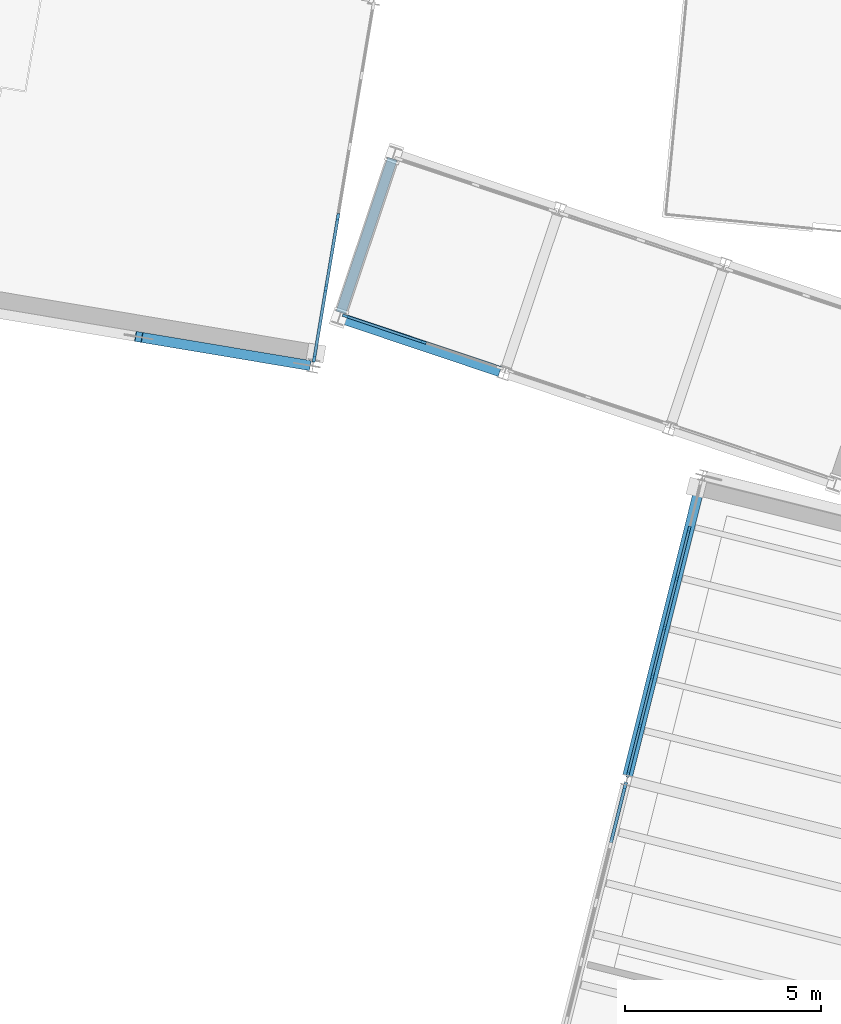
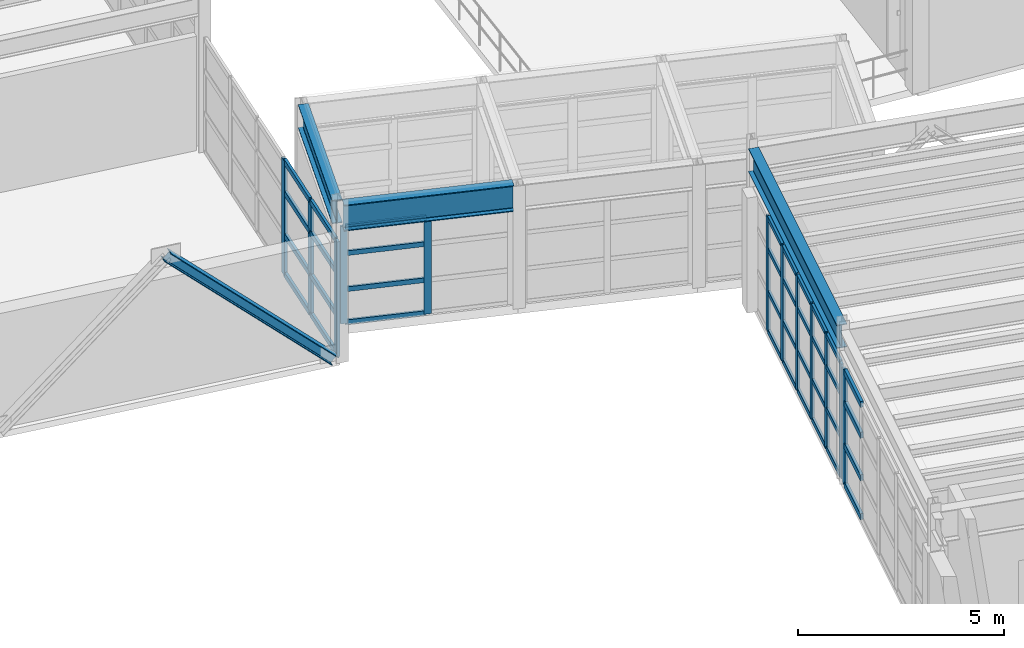
# One storey, part 25 of 102: 49 members, 3 beams, 4 elements without a shape of their own.
"""IFC4 building model written with IfcOpenShell, lengths in metres."""

from ifc_helpers import new_model, si_unit, direction, frame, origin, origin_2d, place, context, subcontext, project, spatial, rectangle, i_section, extrude, material, layer, layer_set, material_profile, profile_set, type_object, element, aggregate, save


model = new_model("IFC4")

# Units and contexts
model_context = context("Model", 3, precision=1e-05, world=origin(), true_north=direction((0.0, 1.0)))
body_context = subcontext(model_context, "Body", "Model", "MODEL_VIEW")
ifc_project = project(units=[si_unit("LENGTHUNIT", "METRE"), si_unit("AREAUNIT", "SQUARE_METRE"), si_unit("VOLUMEUNIT", "CUBIC_METRE"), si_unit("PLANEANGLEUNIT", "RADIAN"), si_unit("MASSUNIT", "GRAM", prefix="KILO")], contexts=[model_context])

# Site, building, storey
site_placement = place(None, origin())
site = spatial("IfcSite", under=ifc_project, at=site_placement, CompositionType="ELEMENT")
building_placement = place(site_placement, origin())
building = spatial("IfcBuilding", under=site, at=building_placement, Name="Vireo Bluff Cable Station", CompositionType="ELEMENT")
storey_placement = place(building_placement, frame((0.0, 0.0, 9.60009765625)))
storey = spatial("IfcBuildingStorey", under=building, at=storey_placement, Name="L02", CompositionType="ELEMENT", Elevation=9.60009765625)

# Member
ifc_material_1 = material(Name="Steel ASTM A992 Gr. 50", Category="steel")
ifc_material_profile_1 = material_profile(ifc_material_1, i_section(OverallWidth=0.257080078125, OverallDepth=0.263916015625, WebThickness=0.011962890625, FlangeThickness=0.01953125, FilletRadius=0.009033203125, at=origin_2d()), Name="W10X68")
ifc_profile_set_1 = profile_set([ifc_material_profile_1], Name="Steel ASTM A992 Gr. 50")
member_type_1 = type_object("IfcMemberType", Name="BRC-03", PredefinedType="BRACE", material=ifc_profile_set_1)
member_1_placement = place(storey_placement, frame((49.72509765625, 64.099365234375, 0.039794921875), z_axis=(-0.713650967905, 0.119423483707, 0.690246570109), x_axis=(-0.165046622801, -0.986285766044, 0.0)))
element("IfcMember", 1, at=member_1_placement, inside=storey, type_object=member_type_1, Name="V4 L02 concentric brace 80R", PredefinedType="BRACE", context=body_context, shape_type="SweptSolid", body=[
    extrude(i_section(OverallWidth=0.257080078125, OverallDepth=0.263916015625, WebThickness=0.011962890625, FlangeThickness=0.01953125, FilletRadius=0.009033203125, at=origin_2d()), origin(), (0.0, 0.0, 1.0), 5.998046875),
])

# Curtain wall, members
ifc_material_2 = material(Name="Anodized Aluminium 6063-T6", Category="aluminium")
ifc_layer_1 = layer(ifc_material_2, 0.179931640625, Name="Anodized Aluminium 6063-T6")
ifc_layer_set_1 = layer_set([ifc_layer_1], Name="Anodized Aluminium 6063-T6")
curtain_wall_type_1 = type_object("IfcCurtainWallType", Name="CW-UNIT-1400", PredefinedType="USERDEFINED", material=ifc_layer_set_1)
curtain_wall_1_placement = place(storey_placement, origin())
curtain_wall_1 = element("IfcCurtainWall", 2, at=curtain_wall_1_placement, inside=storey, type_object=curtain_wall_type_1, Name="V1 L02 west curtain wall CW-012", ObjectType="UNITISED CURTAIN WALL", PredefinedType="USERDEFINED")
ifc_material_profile_2 = material_profile(ifc_material_2, rectangle(XDim=0.06494140625, YDim=0.179931640625, at=origin_2d()), Name="ALU-M-65X180")
ifc_profile_set_2 = profile_set([ifc_material_profile_2], Name="Anodized Aluminium 6063-T6")
member_type_2 = type_object("IfcMemberType", Name="CWM-01", PredefinedType="MULLION", material=ifc_profile_set_2)
member_2_placement = place(storey_placement, frame((57.91015625, 53.682373046875, 0.0), z_axis=(0.0, 0.0, 1.0), x_axis=(-0.970295713157, 0.241921948216, 0.0)))
member_2 = element("IfcMember", 3, at=member_2_placement, type_object=member_type_2, Name="CW-012 mullion 1", PredefinedType="MULLION", context=body_context, shape_type="SweptSolid", body=[
    extrude(rectangle(XDim=0.06494140625, YDim=0.179931640625, at=origin_2d()), origin(), (0.0, 0.0, 1.0), 3.39990234375),
])
member_3_placement = place(storey_placement, frame((58.21435546875, 54.902587890625, 0.0), z_axis=(0.0, 0.0, 1.0), x_axis=(-0.970295713157, 0.241921948216, 0.0)))
member_3 = element("IfcMember", 4, at=member_3_placement, type_object=member_type_2, Name="CW-012 mullion 2", PredefinedType="MULLION", context=body_context, shape_type="SweptSolid", body=[
    extrude(rectangle(XDim=0.06494140625, YDim=0.179931640625, at=origin_2d()), origin(), (0.0, 0.0, 1.0), 3.39990234375),
])
member_4_placement = place(storey_placement, frame((58.5263671875, 56.154052734375, 0.0), z_axis=(0.0, 0.0, 1.0), x_axis=(-0.970295713157, 0.241921948216, 0.0)))
member_4 = element("IfcMember", 5, at=member_4_placement, type_object=member_type_2, Name="CW-012 mullion 3", PredefinedType="MULLION", context=body_context, shape_type="SweptSolid", body=[
    extrude(rectangle(XDim=0.06494140625, YDim=0.179931640625, at=origin_2d()), origin(), (0.0, 0.0, 1.0), 3.39990234375),
])
member_5_placement = place(storey_placement, frame((58.83837890625, 57.40576171875, 0.0), z_axis=(0.0, 0.0, 1.0), x_axis=(-0.970295713157, 0.241921948216, 0.0)))
member_5 = element("IfcMember", 6, at=member_5_placement, type_object=member_type_2, Name="CW-012 mullion 4", PredefinedType="MULLION", context=body_context, shape_type="SweptSolid", body=[
    extrude(rectangle(XDim=0.06494140625, YDim=0.179931640625, at=origin_2d()), origin(), (0.0, 0.0, 1.0), 3.39990234375),
])
member_6_placement = place(storey_placement, frame((59.150390625, 58.6572265625, 0.0), z_axis=(0.0, 0.0, 1.0), x_axis=(-0.970295713157, 0.241921948216, 0.0)))
member_6 = element("IfcMember", 7, at=member_6_placement, type_object=member_type_2, Name="CW-012 mullion 5", PredefinedType="MULLION", context=body_context, shape_type="SweptSolid", body=[
    extrude(rectangle(XDim=0.06494140625, YDim=0.179931640625, at=origin_2d()), origin(), (0.0, 0.0, 1.0), 3.39990234375),
])
member_7_placement = place(storey_placement, frame((59.46240234375, 59.908935546875, 0.0), z_axis=(0.0, 0.0, 1.0), x_axis=(-0.970295713157, 0.241921948216, 0.0)))
member_7 = element("IfcMember", 8, at=member_7_placement, type_object=member_type_2, Name="CW-012 mullion 6", PredefinedType="MULLION", context=body_context, shape_type="SweptSolid", body=[
    extrude(rectangle(XDim=0.06494140625, YDim=0.179931640625, at=origin_2d()), origin(), (0.0, 0.0, 1.0), 3.39990234375),
])

ifc_layer_2 = layer(ifc_material_2, 0.159912109375, Name="Anodized Aluminium 6063-T6")
ifc_layer_set_2 = layer_set([ifc_layer_2], Name="Anodized Aluminium 6063-T6")
curtain_wall_type_2 = type_object("IfcCurtainWallType", Name="CW-STICK-1750", PredefinedType="USERDEFINED", material=ifc_layer_set_2)
curtain_wall_2_placement = place(storey_placement, origin())
curtain_wall_2 = element("IfcCurtainWall", 9, at=curtain_wall_2_placement, inside=storey, type_object=curtain_wall_type_2, Name="SKYBR L02 CABIN-TRANSFER-1L curtain wall CW-140", ObjectType="STICK CURTAIN WALL", PredefinedType="USERDEFINED")
member_8_placement = place(storey_placement, frame((50.722412109375, 65.341796875, 0.0), z_axis=(0.0, 0.0, 1.0), x_axis=(0.317927251237, 0.948115110586, 0.0)))
member_8 = element("IfcMember", 10, at=member_8_placement, type_object=member_type_2, Name="CW-140 mullion 1", PredefinedType="MULLION", context=body_context, shape_type="SweptSolid", body=[
    extrude(rectangle(XDim=0.06494140625, YDim=0.179931640625, at=origin_2d()), origin(), (0.0, 0.0, 1.0), 2.8798828125),
])
member_9_placement = place(storey_placement, frame((52.682861328125, 64.6845703125, 0.0), z_axis=(0.0, 0.0, 1.0), x_axis=(0.317927251237, 0.948115110586, 0.0)))
member_9 = element("IfcMember", 11, at=member_9_placement, type_object=member_type_2, Name="CW-140 mullion 2", PredefinedType="MULLION", context=body_context, shape_type="SweptSolid", body=[
    extrude(rectangle(XDim=0.06494140625, YDim=0.179931640625, at=origin_2d()), origin(), (0.0, 0.0, 1.0), 2.8798828125),
])

ifc_layer_3 = layer(ifc_material_2, 0.159912109375, Name="Anodized Aluminium 6063-T6")
ifc_layer_set_3 = layer_set([ifc_layer_3], Name="Anodized Aluminium 6063-T6")
curtain_wall_type_3 = type_object("IfcCurtainWallType", Name="CW-STICK-1850", PredefinedType="USERDEFINED", material=ifc_layer_set_3)
curtain_wall_3_placement = place(storey_placement, origin())
curtain_wall_3 = element("IfcCurtainWall", 12, at=curtain_wall_3_placement, inside=storey, type_object=curtain_wall_type_3, Name="V4 L02 east curtain wall CW-105", ObjectType="STICK CURTAIN WALL", PredefinedType="USERDEFINED")
ifc_material_profile_3 = material_profile(ifc_material_2, rectangle(XDim=0.074951171875, YDim=0.2099609375, at=origin_2d()), Name="ALU-M-75X210")
ifc_profile_set_3 = profile_set([ifc_material_profile_3], Name="Anodized Aluminium 6063-T6")
member_type_3 = type_object("IfcMemberType", Name="CWM-02", PredefinedType="MULLION", material=ifc_profile_set_3)
member_10_placement = place(storey_placement, frame((50.515869140625, 67.85595703125, 0.0), z_axis=(0.0, 0.0, 1.0), x_axis=(0.986285608364, -0.165047565064, 0.0)))
member_10 = element("IfcMember", 13, at=member_10_placement, type_object=member_type_3, Name="CW-105 mullion 4", PredefinedType="MULLION", context=body_context, shape_type="SweptSolid", body=[
    extrude(rectangle(XDim=0.074951171875, YDim=0.2099609375, at=origin_2d()), origin(), (0.0, 0.0, 1.0), 3.39990234375),
])
member_11_placement = place(storey_placement, frame((50.21337890625, 66.047607421875, 0.0), z_axis=(0.0, 0.0, 1.0), x_axis=(0.986285608364, -0.165047565064, 0.0)))
member_11 = element("IfcMember", 14, at=member_11_placement, type_object=member_type_3, Name="CW-105 mullion 5", PredefinedType="MULLION", context=body_context, shape_type="SweptSolid", body=[
    extrude(rectangle(XDim=0.074951171875, YDim=0.2099609375, at=origin_2d()), origin(), (0.0, 0.0, 1.0), 3.39990234375),
])
member_12_placement = place(storey_placement, frame((49.916748046875, 64.276123046875, 0.0), z_axis=(0.0, 0.0, 1.0), x_axis=(0.986285608364, -0.165047565064, 0.0)))
member_12 = element("IfcMember", 15, at=member_12_placement, type_object=member_type_3, Name="CW-105 mullion 6", PredefinedType="MULLION", context=body_context, shape_type="SweptSolid", body=[
    extrude(rectangle(XDim=0.074951171875, YDim=0.2099609375, at=origin_2d()), origin(), (0.0, 0.0, 1.0), 3.39990234375),
])

# Curtain wall, member
ifc_layer_4 = layer(ifc_material_2, 0.179931640625, Name="Anodized Aluminium 6063-T6")
ifc_layer_set_4 = layer_set([ifc_layer_4], Name="Anodized Aluminium 6063-T6")
curtain_wall_type_4 = type_object("IfcCurtainWallType", Name="CW-UNIT-1650", PredefinedType="USERDEFINED", material=ifc_layer_set_4)
curtain_wall_4_placement = place(storey_placement, origin())
curtain_wall_4 = element("IfcCurtainWall", 16, at=curtain_wall_4_placement, inside=storey, type_object=curtain_wall_type_4, Name="V1 L02 west curtain wall CW-011", ObjectType="UNITISED CURTAIN WALL", PredefinedType="USERDEFINED")
ifc_material_profile_4 = material_profile(ifc_material_2, rectangle(XDim=0.080078125, YDim=0.239990234375, at=origin_2d()), Name="ALU-M-80X240")
ifc_profile_set_4 = profile_set([ifc_material_profile_4], Name="Anodized Aluminium 6063-T6")
member_type_4 = type_object("IfcMemberType", Name="CWM-04", PredefinedType="MULLION", material=ifc_profile_set_4)
member_13_placement = place(storey_placement, frame((57.82958984375, 53.35986328125, 0.0), z_axis=(0.0, 0.0, 1.0), x_axis=(-0.970295752053, 0.241921792212, 0.0)))
member_13 = element("IfcMember", 17, at=member_13_placement, type_object=member_type_4, Name="CW-011 mullion 6", PredefinedType="MULLION", context=body_context, shape_type="SweptSolid", body=[
    extrude(rectangle(XDim=0.080078125, YDim=0.239990234375, at=origin_2d()), origin(), (0.0, 0.0, 1.0), 3.39990234375),
])

# Member
ifc_material_profile_5 = material_profile(ifc_material_2, rectangle(XDim=0.06494140625, YDim=0.139892578125, at=origin_2d()), Name="ALU-T-65X140")
ifc_profile_set_5 = profile_set([ifc_material_profile_5], Name="Anodized Aluminium 6063-T6")
member_type_5 = type_object("IfcMemberType", Name="CWT-01", PredefinedType="USERDEFINED", material=ifc_profile_set_5)
member_14_placement = place(storey_placement, frame((57.91796875, 53.7138671875, 0.032470703125), z_axis=(0.241812901272, 0.970322895112, 0.0), x_axis=(-0.970322895112, 0.241812901272, 0.0)))
member_14 = element("IfcMember", 18, at=member_14_placement, type_object=member_type_5, Name="CW-012 transom 1.1", ObjectType="TRANSOM", PredefinedType="USERDEFINED", context=body_context, shape_type="SweptSolid", body=[
    extrude(rectangle(XDim=0.06494140625, YDim=0.139892578125, at=origin_2d()), origin(), (0.0, 0.0, 1.0), 1.1923828125),
])

member_15_placement = place(storey_placement, frame((57.91796875, 53.7138671875, 1.18994140625), z_axis=(0.241812901272, 0.970322895112, 0.0), x_axis=(-0.970322895112, 0.241812901272, 0.0)))
member_15 = element("IfcMember", 19, at=member_15_placement, type_object=member_type_5, Name="CW-012 transom 1.2", ObjectType="TRANSOM", PredefinedType="USERDEFINED", context=body_context, shape_type="SweptSolid", body=[
    extrude(rectangle(XDim=0.06494140625, YDim=0.139892578125, at=origin_2d()), origin(), (0.0, 0.0, 1.0), 1.1923828125),
])

member_16_placement = place(storey_placement, frame((57.91796875, 53.7138671875, 2.447998046875), z_axis=(0.241812901272, 0.970322895112, 0.0), x_axis=(-0.970322895112, 0.241812901272, 0.0)))
member_16 = element("IfcMember", 20, at=member_16_placement, type_object=member_type_5, Name="CW-012 transom 1.3", ObjectType="TRANSOM", PredefinedType="USERDEFINED", context=body_context, shape_type="SweptSolid", body=[
    extrude(rectangle(XDim=0.06494140625, YDim=0.139892578125, at=origin_2d()), origin(), (0.0, 0.0, 1.0), 1.1923828125),
])

member_17_placement = place(storey_placement, frame((57.91796875, 53.7138671875, 3.367431640625), z_axis=(0.241812901272, 0.970322895112, 0.0), x_axis=(-0.970322895112, 0.241812901272, 0.0)))
member_17 = element("IfcMember", 21, at=member_17_placement, type_object=member_type_5, Name="CW-012 transom 1.4", ObjectType="TRANSOM", PredefinedType="USERDEFINED", context=body_context, shape_type="SweptSolid", body=[
    extrude(rectangle(XDim=0.06494140625, YDim=0.139892578125, at=origin_2d()), origin(), (0.0, 0.0, 1.0), 1.1923828125),
])

member_18_placement = place(storey_placement, frame((58.22216796875, 54.93408203125, 0.032470703125), z_axis=(0.241972802247, 0.970283032405, 0.0), x_axis=(-0.970283032405, 0.241972802247, 0.0)))
member_18 = element("IfcMember", 22, at=member_18_placement, type_object=member_type_5, Name="CW-012 transom 2.1", ObjectType="TRANSOM", PredefinedType="USERDEFINED", context=body_context, shape_type="SweptSolid", body=[
    extrude(rectangle(XDim=0.06494140625, YDim=0.139892578125, at=origin_2d()), origin(), (0.0, 0.0, 1.0), 1.224853515625),
])

member_19_placement = place(storey_placement, frame((58.22216796875, 54.93408203125, 1.18994140625), z_axis=(0.241972802247, 0.970283032405, 0.0), x_axis=(-0.970283032405, 0.241972802247, 0.0)))
member_19 = element("IfcMember", 23, at=member_19_placement, type_object=member_type_5, Name="CW-012 transom 2.2", ObjectType="TRANSOM", PredefinedType="USERDEFINED", context=body_context, shape_type="SweptSolid", body=[
    extrude(rectangle(XDim=0.06494140625, YDim=0.139892578125, at=origin_2d()), origin(), (0.0, 0.0, 1.0), 1.224853515625),
])

member_20_placement = place(storey_placement, frame((58.22216796875, 54.93408203125, 2.447998046875), z_axis=(0.241972802247, 0.970283032405, 0.0), x_axis=(-0.970283032405, 0.241972802247, 0.0)))
member_20 = element("IfcMember", 24, at=member_20_placement, type_object=member_type_5, Name="CW-012 transom 2.3", ObjectType="TRANSOM", PredefinedType="USERDEFINED", context=body_context, shape_type="SweptSolid", body=[
    extrude(rectangle(XDim=0.06494140625, YDim=0.139892578125, at=origin_2d()), origin(), (0.0, 0.0, 1.0), 1.224853515625),
])

member_21_placement = place(storey_placement, frame((58.22216796875, 54.93408203125, 3.367431640625), z_axis=(0.241972802247, 0.970283032405, 0.0), x_axis=(-0.970283032405, 0.241972802247, 0.0)))
member_21 = element("IfcMember", 25, at=member_21_placement, type_object=member_type_5, Name="CW-012 transom 2.4", ObjectType="TRANSOM", PredefinedType="USERDEFINED", context=body_context, shape_type="SweptSolid", body=[
    extrude(rectangle(XDim=0.06494140625, YDim=0.139892578125, at=origin_2d()), origin(), (0.0, 0.0, 1.0), 1.224853515625),
])

member_22_placement = place(storey_placement, frame((58.5341796875, 56.185546875, 0.032470703125), z_axis=(0.241972802247, 0.970283032405, 0.0), x_axis=(-0.970283032405, 0.241972802247, 0.0)))
member_22 = element("IfcMember", 26, at=member_22_placement, type_object=member_type_5, Name="CW-012 transom 3.1", ObjectType="TRANSOM", PredefinedType="USERDEFINED", context=body_context, shape_type="SweptSolid", body=[
    extrude(rectangle(XDim=0.06494140625, YDim=0.139892578125, at=origin_2d()), origin(), (0.0, 0.0, 1.0), 1.224853515625),
])

member_23_placement = place(storey_placement, frame((58.5341796875, 56.185546875, 1.18994140625), z_axis=(0.241972802247, 0.970283032405, 0.0), x_axis=(-0.970283032405, 0.241972802247, 0.0)))
member_23 = element("IfcMember", 27, at=member_23_placement, type_object=member_type_5, Name="CW-012 transom 3.2", ObjectType="TRANSOM", PredefinedType="USERDEFINED", context=body_context, shape_type="SweptSolid", body=[
    extrude(rectangle(XDim=0.06494140625, YDim=0.139892578125, at=origin_2d()), origin(), (0.0, 0.0, 1.0), 1.224853515625),
])

member_24_placement = place(storey_placement, frame((58.5341796875, 56.185546875, 2.447998046875), z_axis=(0.241972802247, 0.970283032405, 0.0), x_axis=(-0.970283032405, 0.241972802247, 0.0)))
member_24 = element("IfcMember", 28, at=member_24_placement, type_object=member_type_5, Name="CW-012 transom 3.3", ObjectType="TRANSOM", PredefinedType="USERDEFINED", context=body_context, shape_type="SweptSolid", body=[
    extrude(rectangle(XDim=0.06494140625, YDim=0.139892578125, at=origin_2d()), origin(), (0.0, 0.0, 1.0), 1.224853515625),
])

member_25_placement = place(storey_placement, frame((58.5341796875, 56.185546875, 3.367431640625), z_axis=(0.241972802247, 0.970283032405, 0.0), x_axis=(-0.970283032405, 0.241972802247, 0.0)))
member_25 = element("IfcMember", 29, at=member_25_placement, type_object=member_type_5, Name="CW-012 transom 3.4", ObjectType="TRANSOM", PredefinedType="USERDEFINED", context=body_context, shape_type="SweptSolid", body=[
    extrude(rectangle(XDim=0.06494140625, YDim=0.139892578125, at=origin_2d()), origin(), (0.0, 0.0, 1.0), 1.224853515625),
])

member_26_placement = place(storey_placement, frame((58.84619140625, 57.437255859375, 0.032470703125), z_axis=(0.241972802247, 0.970283032405, 0.0), x_axis=(-0.970283032405, 0.241972802247, 0.0)))
member_26 = element("IfcMember", 30, at=member_26_placement, type_object=member_type_5, Name="CW-012 transom 4.1", ObjectType="TRANSOM", PredefinedType="USERDEFINED", context=body_context, shape_type="SweptSolid", body=[
    extrude(rectangle(XDim=0.06494140625, YDim=0.139892578125, at=origin_2d()), origin(), (0.0, 0.0, 1.0), 1.224853515625),
])

member_27_placement = place(storey_placement, frame((58.84619140625, 57.437255859375, 1.18994140625), z_axis=(0.241972802247, 0.970283032405, 0.0), x_axis=(-0.970283032405, 0.241972802247, 0.0)))
member_27 = element("IfcMember", 31, at=member_27_placement, type_object=member_type_5, Name="CW-012 transom 4.2", ObjectType="TRANSOM", PredefinedType="USERDEFINED", context=body_context, shape_type="SweptSolid", body=[
    extrude(rectangle(XDim=0.06494140625, YDim=0.139892578125, at=origin_2d()), origin(), (0.0, 0.0, 1.0), 1.224853515625),
])

member_28_placement = place(storey_placement, frame((58.84619140625, 57.437255859375, 2.447998046875), z_axis=(0.241972802247, 0.970283032405, 0.0), x_axis=(-0.970283032405, 0.241972802247, 0.0)))
member_28 = element("IfcMember", 32, at=member_28_placement, type_object=member_type_5, Name="CW-012 transom 4.3", ObjectType="TRANSOM", PredefinedType="USERDEFINED", context=body_context, shape_type="SweptSolid", body=[
    extrude(rectangle(XDim=0.06494140625, YDim=0.139892578125, at=origin_2d()), origin(), (0.0, 0.0, 1.0), 1.224853515625),
])

member_29_placement = place(storey_placement, frame((58.84619140625, 57.437255859375, 3.367431640625), z_axis=(0.241972802247, 0.970283032405, 0.0), x_axis=(-0.970283032405, 0.241972802247, 0.0)))
member_29 = element("IfcMember", 33, at=member_29_placement, type_object=member_type_5, Name="CW-012 transom 4.4", ObjectType="TRANSOM", PredefinedType="USERDEFINED", context=body_context, shape_type="SweptSolid", body=[
    extrude(rectangle(XDim=0.06494140625, YDim=0.139892578125, at=origin_2d()), origin(), (0.0, 0.0, 1.0), 1.224853515625),
])

member_30_placement = place(storey_placement, frame((59.158203125, 58.688720703125, 0.032470703125), z_axis=(0.24192601457, 0.970294699292, 0.0), x_axis=(-0.970294699292, 0.24192601457, 0.0)))
member_30 = element("IfcMember", 34, at=member_30_placement, type_object=member_type_5, Name="CW-012 transom 5.1", ObjectType="TRANSOM", PredefinedType="USERDEFINED", context=body_context, shape_type="SweptSolid", body=[
    extrude(rectangle(XDim=0.06494140625, YDim=0.139892578125, at=origin_2d()), origin(), (0.0, 0.0, 1.0), 1.22509765625),
])

member_31_placement = place(storey_placement, frame((59.158203125, 58.688720703125, 1.18994140625), z_axis=(0.24192601457, 0.970294699292, 0.0), x_axis=(-0.970294699292, 0.24192601457, 0.0)))
member_31 = element("IfcMember", 35, at=member_31_placement, type_object=member_type_5, Name="CW-012 transom 5.2", ObjectType="TRANSOM", PredefinedType="USERDEFINED", context=body_context, shape_type="SweptSolid", body=[
    extrude(rectangle(XDim=0.06494140625, YDim=0.139892578125, at=origin_2d()), origin(), (0.0, 0.0, 1.0), 1.22509765625),
])

member_32_placement = place(storey_placement, frame((59.158203125, 58.688720703125, 2.447998046875), z_axis=(0.24192601457, 0.970294699292, 0.0), x_axis=(-0.970294699292, 0.24192601457, 0.0)))
member_32 = element("IfcMember", 36, at=member_32_placement, type_object=member_type_5, Name="CW-012 transom 5.3", ObjectType="TRANSOM", PredefinedType="USERDEFINED", context=body_context, shape_type="SweptSolid", body=[
    extrude(rectangle(XDim=0.06494140625, YDim=0.139892578125, at=origin_2d()), origin(), (0.0, 0.0, 1.0), 1.22509765625),
])

member_33_placement = place(storey_placement, frame((59.158203125, 58.688720703125, 3.367431640625), z_axis=(0.24192601457, 0.970294699292, 0.0), x_axis=(-0.970294699292, 0.24192601457, 0.0)))
member_33 = element("IfcMember", 37, at=member_33_placement, type_object=member_type_5, Name="CW-012 transom 5.4", ObjectType="TRANSOM", PredefinedType="USERDEFINED", context=body_context, shape_type="SweptSolid", body=[
    extrude(rectangle(XDim=0.06494140625, YDim=0.139892578125, at=origin_2d()), origin(), (0.0, 0.0, 1.0), 1.22509765625),
])

aggregate(curtain_wall_1, [member_2, member_3, member_4, member_5, member_6, member_7, member_14, member_15, member_16, member_17, member_18, member_19, member_20, member_21, member_22, member_23, member_24, member_25, member_26, member_27, member_28, member_29, member_30, member_31, member_32, member_33])

member_34_placement = place(storey_placement, frame((50.75341796875, 65.33154296875, 0.032470703125), z_axis=(0.948096428666, -0.317982958586, 0.0), x_axis=(0.317982958586, 0.948096428666, 0.0)))
member_34 = element("IfcMember", 38, at=member_34_placement, type_object=member_type_5, Name="CW-140 transom 1.1", ObjectType="TRANSOM", PredefinedType="USERDEFINED", context=body_context, shape_type="SweptSolid", body=[
    extrude(rectangle(XDim=0.06494140625, YDim=0.139892578125, at=origin_2d()), origin(), (0.0, 0.0, 1.0), 2.00244140625),
])

member_35_placement = place(storey_placement, frame((50.75341796875, 65.33154296875, 1.0078125), z_axis=(0.948096428666, -0.317982958586, 0.0), x_axis=(0.317982958586, 0.948096428666, 0.0)))
member_35 = element("IfcMember", 39, at=member_35_placement, type_object=member_type_5, Name="CW-140 transom 1.2", ObjectType="TRANSOM", PredefinedType="USERDEFINED", context=body_context, shape_type="SweptSolid", body=[
    extrude(rectangle(XDim=0.06494140625, YDim=0.139892578125, at=origin_2d()), origin(), (0.0, 0.0, 1.0), 2.00244140625),
])

member_36_placement = place(storey_placement, frame((50.75341796875, 65.33154296875, 2.073486328125), z_axis=(0.948096428666, -0.317982958586, 0.0), x_axis=(0.317982958586, 0.948096428666, 0.0)))
member_36 = element("IfcMember", 40, at=member_36_placement, type_object=member_type_5, Name="CW-140 transom 1.3", ObjectType="TRANSOM", PredefinedType="USERDEFINED", context=body_context, shape_type="SweptSolid", body=[
    extrude(rectangle(XDim=0.06494140625, YDim=0.139892578125, at=origin_2d()), origin(), (0.0, 0.0, 1.0), 2.00244140625),
])

member_37_placement = place(storey_placement, frame((50.75341796875, 65.33154296875, 2.847412109375), z_axis=(0.948096428666, -0.317982958586, 0.0), x_axis=(0.317982958586, 0.948096428666, 0.0)))
member_37 = element("IfcMember", 41, at=member_37_placement, type_object=member_type_5, Name="CW-140 transom 1.4", ObjectType="TRANSOM", PredefinedType="USERDEFINED", context=body_context, shape_type="SweptSolid", body=[
    extrude(rectangle(XDim=0.06494140625, YDim=0.139892578125, at=origin_2d()), origin(), (0.0, 0.0, 1.0), 2.00244140625),
])

aggregate(curtain_wall_2, [member_8, member_9, member_34, member_35, member_36, member_37])

ifc_material_profile_6 = material_profile(ifc_material_2, rectangle(XDim=0.074951171875, YDim=0.159912109375, at=origin_2d()), Name="ALU-T-75X160")
ifc_profile_set_6 = profile_set([ifc_material_profile_6], Name="Anodized Aluminium 6063-T6")
member_type_6 = type_object("IfcMemberType", Name="CWT-02", PredefinedType="USERDEFINED", material=ifc_profile_set_6)
member_38_placement = place(storey_placement, frame((50.509765625, 67.81884765625, 0.037353515625), z_axis=(-0.165074360419, -0.986281123987, 0.0), x_axis=(0.986281123987, -0.165074360419, 0.0)))
member_38 = element("IfcMember", 42, at=member_38_placement, type_object=member_type_6, Name="CW-105 transom 4.1", ObjectType="TRANSOM", PredefinedType="USERDEFINED", context=body_context, shape_type="SweptSolid", body=[
    extrude(rectangle(XDim=0.074951171875, YDim=0.159912109375, at=origin_2d()), origin(), (0.0, 0.0, 1.0), 1.758544921875),
])

member_39_placement = place(storey_placement, frame((50.509765625, 67.81884765625, 1.18994140625), z_axis=(-0.165074360419, -0.986281123987, 0.0), x_axis=(0.986281123987, -0.165074360419, 0.0)))
member_39 = element("IfcMember", 43, at=member_39_placement, type_object=member_type_6, Name="CW-105 transom 4.2", ObjectType="TRANSOM", PredefinedType="USERDEFINED", context=body_context, shape_type="SweptSolid", body=[
    extrude(rectangle(XDim=0.074951171875, YDim=0.159912109375, at=origin_2d()), origin(), (0.0, 0.0, 1.0), 1.758544921875),
])

member_40_placement = place(storey_placement, frame((50.509765625, 67.81884765625, 2.447998046875), z_axis=(-0.165074360419, -0.986281123987, 0.0), x_axis=(0.986281123987, -0.165074360419, 0.0)))
member_40 = element("IfcMember", 44, at=member_40_placement, type_object=member_type_6, Name="CW-105 transom 4.3", ObjectType="TRANSOM", PredefinedType="USERDEFINED", context=body_context, shape_type="SweptSolid", body=[
    extrude(rectangle(XDim=0.074951171875, YDim=0.159912109375, at=origin_2d()), origin(), (0.0, 0.0, 1.0), 1.758544921875),
])

member_41_placement = place(storey_placement, frame((50.509765625, 67.81884765625, 3.3623046875), z_axis=(-0.165074360419, -0.986281123987, 0.0), x_axis=(0.986281123987, -0.165074360419, 0.0)))
member_41 = element("IfcMember", 45, at=member_41_placement, type_object=member_type_6, Name="CW-105 transom 4.4", ObjectType="TRANSOM", PredefinedType="USERDEFINED", context=body_context, shape_type="SweptSolid", body=[
    extrude(rectangle(XDim=0.074951171875, YDim=0.159912109375, at=origin_2d()), origin(), (0.0, 0.0, 1.0), 1.758544921875),
])

member_42_placement = place(storey_placement, frame((50.20703125, 66.010498046875, 0.037353515625), z_axis=(-0.164974035598, -0.986297910156, 0.0), x_axis=(0.986297910156, -0.164974035598, 0.0)))
member_42 = element("IfcMember", 46, at=member_42_placement, type_object=member_type_6, Name="CW-105 transom 5.1", ObjectType="TRANSOM", PredefinedType="USERDEFINED", context=body_context, shape_type="SweptSolid", body=[
    extrude(rectangle(XDim=0.074951171875, YDim=0.159912109375, at=origin_2d()), origin(), (0.0, 0.0, 1.0), 1.72119140625),
])

member_43_placement = place(storey_placement, frame((50.20703125, 66.010498046875, 1.18994140625), z_axis=(-0.164974035598, -0.986297910156, 0.0), x_axis=(0.986297910156, -0.164974035598, 0.0)))
member_43 = element("IfcMember", 47, at=member_43_placement, type_object=member_type_6, Name="CW-105 transom 5.2", ObjectType="TRANSOM", PredefinedType="USERDEFINED", context=body_context, shape_type="SweptSolid", body=[
    extrude(rectangle(XDim=0.074951171875, YDim=0.159912109375, at=origin_2d()), origin(), (0.0, 0.0, 1.0), 1.72119140625),
])

member_44_placement = place(storey_placement, frame((50.20703125, 66.010498046875, 2.447998046875), z_axis=(-0.164974035598, -0.986297910156, 0.0), x_axis=(0.986297910156, -0.164974035598, 0.0)))
member_44 = element("IfcMember", 48, at=member_44_placement, type_object=member_type_6, Name="CW-105 transom 5.3", ObjectType="TRANSOM", PredefinedType="USERDEFINED", context=body_context, shape_type="SweptSolid", body=[
    extrude(rectangle(XDim=0.074951171875, YDim=0.159912109375, at=origin_2d()), origin(), (0.0, 0.0, 1.0), 1.72119140625),
])

member_45_placement = place(storey_placement, frame((50.20703125, 66.010498046875, 3.3623046875), z_axis=(-0.164974035598, -0.986297910156, 0.0), x_axis=(0.986297910156, -0.164974035598, 0.0)))
member_45 = element("IfcMember", 49, at=member_45_placement, type_object=member_type_6, Name="CW-105 transom 5.4", ObjectType="TRANSOM", PredefinedType="USERDEFINED", context=body_context, shape_type="SweptSolid", body=[
    extrude(rectangle(XDim=0.074951171875, YDim=0.159912109375, at=origin_2d()), origin(), (0.0, 0.0, 1.0), 1.72119140625),
])

aggregate(curtain_wall_3, [member_10, member_11, member_12, member_38, member_39, member_40, member_41, member_42, member_43, member_44, member_45])

ifc_material_profile_7 = material_profile(ifc_material_2, rectangle(XDim=0.080078125, YDim=0.175048828125, at=origin_2d()), Name="ALU-T-80X175")
ifc_profile_set_7 = profile_set([ifc_material_profile_7], Name="Anodized Aluminium 6063-T6")
member_type_7 = type_object("IfcMemberType", Name="CWT-04", PredefinedType="USERDEFINED", material=ifc_profile_set_7)
member_46_placement = place(storey_placement, frame((57.474609375, 51.936279296875, 0.039794921875), z_axis=(0.241891547174, 0.970303292484, 0.0), x_axis=(-0.970303292484, 0.241891547174, 0.0)))
member_46 = element("IfcMember", 50, at=member_46_placement, type_object=member_type_7, Name="CW-011 transom 5.1", ObjectType="TRANSOM", PredefinedType="USERDEFINED", context=body_context, shape_type="SweptSolid", body=[
    extrude(rectangle(XDim=0.080078125, YDim=0.175048828125, at=origin_2d()), origin(), (0.0, 0.0, 1.0), 1.42724609375),
])

member_47_placement = place(storey_placement, frame((57.474609375, 51.936279296875, 1.18994140625), z_axis=(0.241891547174, 0.970303292484, 0.0), x_axis=(-0.970303292484, 0.241891547174, 0.0)))
member_47 = element("IfcMember", 51, at=member_47_placement, type_object=member_type_7, Name="CW-011 transom 5.2", ObjectType="TRANSOM", PredefinedType="USERDEFINED", context=body_context, shape_type="SweptSolid", body=[
    extrude(rectangle(XDim=0.080078125, YDim=0.175048828125, at=origin_2d()), origin(), (0.0, 0.0, 1.0), 1.42724609375),
])

member_48_placement = place(storey_placement, frame((57.474609375, 51.936279296875, 2.447998046875), z_axis=(0.241891547174, 0.970303292484, 0.0), x_axis=(-0.970303292484, 0.241891547174, 0.0)))
member_48 = element("IfcMember", 52, at=member_48_placement, type_object=member_type_7, Name="CW-011 transom 5.3", ObjectType="TRANSOM", PredefinedType="USERDEFINED", context=body_context, shape_type="SweptSolid", body=[
    extrude(rectangle(XDim=0.080078125, YDim=0.175048828125, at=origin_2d()), origin(), (0.0, 0.0, 1.0), 1.42724609375),
])

member_49_placement = place(storey_placement, frame((57.474609375, 51.936279296875, 3.35986328125), z_axis=(0.241891547174, 0.970303292484, 0.0), x_axis=(-0.970303292484, 0.241891547174, 0.0)))
member_49 = element("IfcMember", 53, at=member_49_placement, type_object=member_type_7, Name="CW-011 transom 5.4", ObjectType="TRANSOM", PredefinedType="USERDEFINED", context=body_context, shape_type="SweptSolid", body=[
    extrude(rectangle(XDim=0.080078125, YDim=0.175048828125, at=origin_2d()), origin(), (0.0, 0.0, 1.0), 1.42724609375),
])

aggregate(curtain_wall_4, [member_13, member_46, member_47, member_48, member_49])

# Beams
ifc_material_profile_8 = material_profile(ifc_material_1, i_section(OverallWidth=0.257080078125, OverallDepth=0.693115234375, WebThickness=0.014404296875, FlangeThickness=0.023681640625, FilletRadius=0.014892578125, at=origin_2d()), Name="W27X114")
ifc_profile_set_8 = profile_set([ifc_material_profile_8], Name="Steel ASTM A992 Gr. 50")
beam_type_1 = type_object("IfcBeamType", Name="EXTGIR-W27X114", PredefinedType="USERDEFINED", material=ifc_profile_set_8)
beam_1_placement = place(storey_placement, frame((50.592041015625, 65.43212890625, 3.284912109375), z_axis=(0.31792727789, 0.948115101648, 0.0), x_axis=(-0.948115101648, 0.31792727789, 0.0)))
element("IfcBeam", 54, at=beam_1_placement, inside=storey, type_object=beam_type_1, Name="CABIN-TRANSFER skybridge bent cap 1 L02", ObjectType="GIRDER", PredefinedType="USERDEFINED", context=body_context, shape_type="SweptSolid", body=[
    extrude(i_section(OverallWidth=0.257080078125, OverallDepth=0.693115234375, WebThickness=0.014404296875, FlangeThickness=0.023681640625, FilletRadius=0.014892578125, at=origin_2d()), origin(), (0.0, 0.0, 1.0), 4.135986328125),
])
ifc_material_profile_9 = material_profile(ifc_material_1, i_section(OverallWidth=0.26708984375, OverallDepth=0.77001953125, WebThickness=0.015625, FlangeThickness=0.025390625, FilletRadius=0.01611328125, at=origin_2d()), Name="W30X132")
ifc_profile_set_9 = profile_set([ifc_material_profile_9], Name="Steel ASTM A992 Gr. 50")
beam_type_2 = type_object("IfcBeamType", Name="EXTGIR-W30X132", PredefinedType="USERDEFINED", material=ifc_profile_set_9)
beam_2_placement = place(storey_placement, frame((50.663818359375, 65.268798828125, 3.25), z_axis=(0.948100395144, -0.317971131909, 0.0), x_axis=(0.317971131909, 0.948100395144, 0.0)))
element("IfcBeam", 55, at=beam_2_placement, inside=storey, type_object=beam_type_2, Name="CABIN-TRANSFER skybridge roof girder 1L", ObjectType="GIRDER", PredefinedType="USERDEFINED", context=body_context, shape_type="SweptSolid", body=[
    extrude(i_section(OverallWidth=0.26708984375, OverallDepth=0.77001953125, WebThickness=0.015625, FlangeThickness=0.025390625, FilletRadius=0.01611328125, at=origin_2d()), origin(), (0.0, 0.0, 1.0), 4.199951171875),
])
ifc_material_profile_10 = material_profile(ifc_material_1, i_section(OverallWidth=0.257080078125, OverallDepth=0.693115234375, WebThickness=0.014404296875, FlangeThickness=0.023681640625, FilletRadius=0.014892578125, at=origin_2d()), Name="W27X114")
ifc_profile_set_10 = profile_set([ifc_material_profile_10], Name="Steel ASTM A992 Gr. 50")
beam_type_3 = type_object("IfcBeamType", Name="SPN-W27X114", PredefinedType="SPANDREL", material=ifc_profile_set_10)
beam_3_placement = place(storey_placement, frame((57.89990234375, 53.64111328125, 4.193359375), z_axis=(0.241906346953, 0.970299602857, 0.0), x_axis=(-0.970299602857, 0.241906346953, 0.0)))
element("IfcBeam", 56, at=beam_3_placement, inside=storey, type_object=beam_type_3, Name="V1 L02 spandrel 171", PredefinedType="SPANDREL", context=body_context, shape_type="SweptSolid", body=[
    extrude(i_section(OverallWidth=0.257080078125, OverallDepth=0.693115234375, WebThickness=0.014404296875, FlangeThickness=0.023681640625, FilletRadius=0.014892578125, at=origin_2d()), origin(), (0.0, 0.0, 1.0), 7.760009765625),
])

save(model, "model.ifc")
